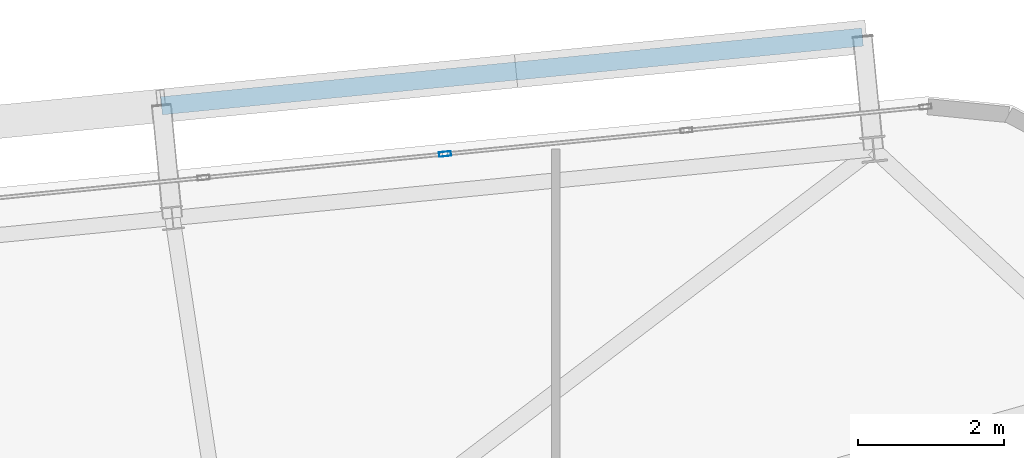
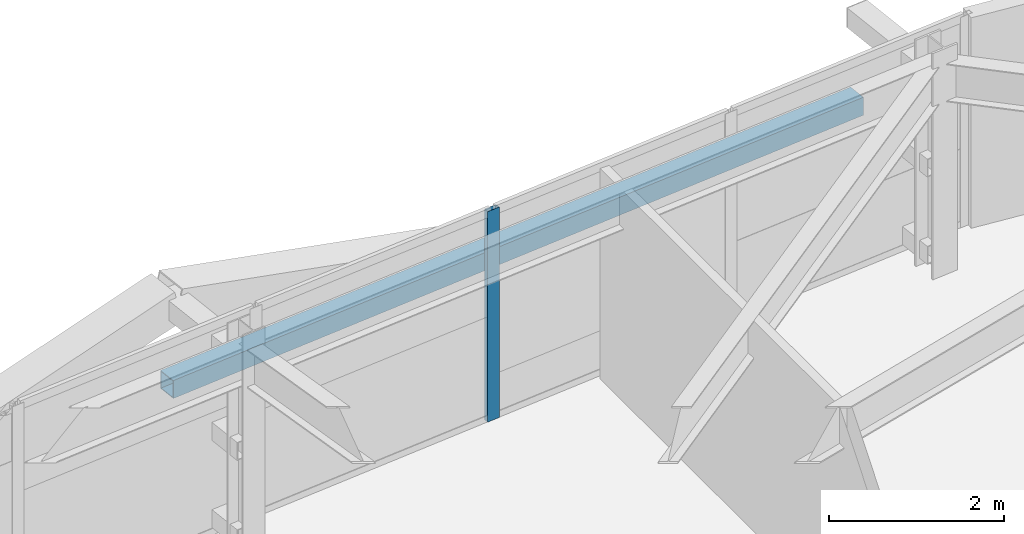
# One storey, part 33 of 52: 2 members, 1 element without a shape of its own.
"""IFC4 building model written with IfcOpenShell, lengths in metres."""

from ifc_helpers import new_model, si_unit, direction, frame, origin, origin_2d, place, context, subcontext, project, spatial, hollow_rectangle, extrude, source, transform, mapped, material, layer, layer_set, material_profile, profile_set, type_object, element, aggregate, save


model = new_model("IFC4")

# Units and contexts
model_context = context("Model", 3, precision=1e-05, world=origin(), true_north=direction((0.0, 1.0)))
body_context = subcontext(model_context, "Body", "Model", "MODEL_VIEW")
ifc_project = project(units=[si_unit("LENGTHUNIT", "METRE"), si_unit("AREAUNIT", "SQUARE_METRE"), si_unit("VOLUMEUNIT", "CUBIC_METRE"), si_unit("PLANEANGLEUNIT", "RADIAN"), si_unit("MASSUNIT", "GRAM", prefix="KILO")], contexts=[model_context])

# Site, building, storey
site_placement = place(None, origin())
site = spatial("IfcSite", under=ifc_project, at=site_placement, CompositionType="ELEMENT")
building_placement = place(site_placement, origin())
building = spatial("IfcBuilding", under=site, at=building_placement, Name="Taldren Reach Tower", CompositionType="ELEMENT")
storey_placement = place(building_placement, frame((0.0, 0.0, 77.699951171875)))
storey = spatial("IfcBuildingStorey", under=building, at=storey_placement, Name="L23", CompositionType="ELEMENT", Elevation=77.699951171875)

# Member
ifc_material_1 = material(Name="Steel Gr 350 (C350L0)", Category="steel")
ifc_material_profile_1 = material_profile(ifc_material_1, hollow_rectangle(XDim=0.25, YDim=0.25, WallThickness=0.010009765625, at=origin_2d()), Name="250x250x10.0SHS")
ifc_profile_set_1 = profile_set([ifc_material_profile_1], Name="Steel Gr 350 (C350L0)")
member_type_1 = type_object("IfcMemberType", Name="MB-POST250", PredefinedType="POST", material=ifc_profile_set_1)
shared_shape_1 = source(origin(), body_context, "Body", "SweptSolid", [
    extrude(hollow_rectangle(XDim=0.25, YDim=0.25, WallThickness=0.010009765625, at=origin_2d()), origin(), (0.0, 0.0, 1.0), 9.679931640625),
])
member_1_placement = place(storey_placement, frame((49.980712890625, 39.27783203125, 1.43505859375), z_axis=(0.995227612658, 0.097580730699, 0.0), x_axis=(-0.097580730699, 0.995227612658, 0.0)))
element("IfcMember", 1, at=member_1_placement, inside=storey, type_object=member_type_1, Name="Exoskeleton mid-height ring chord B2-N5 L23", PredefinedType="POST", context=body_context, shape_type="MappedRepresentation", body=[
    mapped(shared_shape_1, transform((0.0, 0.0, 0.0), scale=1.0)),
])

# Curtain wall, member
ifc_material_2 = material(Name="Aluminium and Low-E Glass Unitised System", Category="aluminium")
ifc_layer = layer(ifc_material_2, 0.159912109375)
ifc_layer_set = layer_set([ifc_layer], Name="Aluminium and Low-E Glass Unitised System")
curtain_wall_type = type_object("IfcCurtainWallType", Name="CW-SYS-3", PredefinedType="NOTDEFINED", material=ifc_layer_set)
curtain_wall_placement = place(storey_placement, origin())
curtain_wall = element("IfcCurtainWall", 2, at=curtain_wall_placement, inside=storey, type_object=curtain_wall_type, Name="Unitised curtain wall CW-L23-N", PredefinedType="NOTDEFINED")
ifc_material_3 = material(Name="Anodised Aluminium 6063-T6", Category="aluminium")
ifc_material_profile_2 = material_profile(ifc_material_3, hollow_rectangle(XDim=0.06494140625, YDim=0.1650390625, WallThickness=0.00390625, at=origin_2d()), Name="ALU-165x65x4RHS")
ifc_profile_set_2 = profile_set([ifc_material_profile_2], Name="Anodised Aluminium 6063-T6")
member_type_2 = type_object("IfcMemberType", Name="CW-MUL-165", PredefinedType="MULLION", material=ifc_profile_set_2)
shared_shape_2 = source(origin(), body_context, "Body", "SweptSolid", [
    extrude(hollow_rectangle(XDim=0.06494140625, YDim=0.1650390625, WallThickness=0.00390625, at=origin_2d()), origin(), (0.0, 0.0, 1.0), 2.929931640625),
])
member_2_placement = place(storey_placement, frame((53.87744140625, 38.614990234375, 0.0), z_axis=(0.0, 0.0, 1.0), x_axis=(0.097582999046, -0.995227390247, 0.0)))
member_2 = element("IfcMember", 3, at=member_2_placement, type_object=member_type_2, Name="CW-3 mullion 3", PredefinedType="MULLION", context=body_context, shape_type="MappedRepresentation", body=[
    mapped(shared_shape_2, transform((0.0, 0.0, 0.0), scale=1.0)),
])
aggregate(curtain_wall, [member_2])

save(model, "model.ifc")
